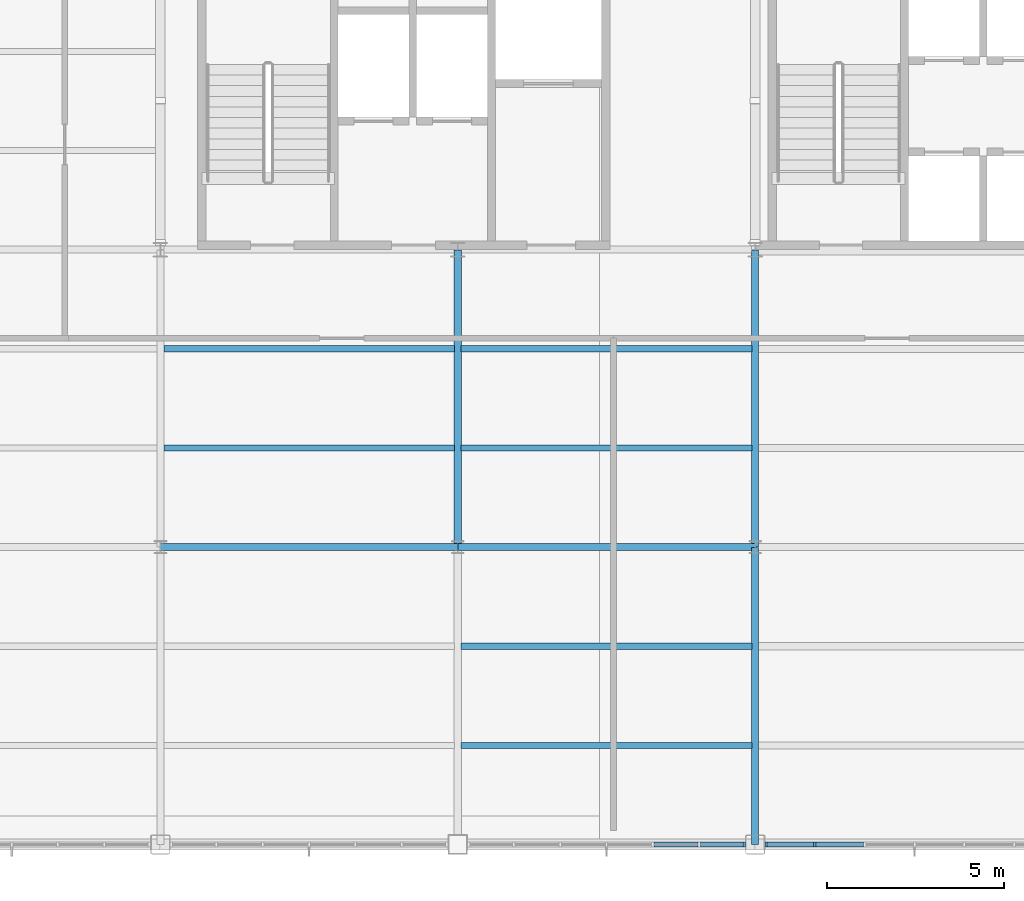
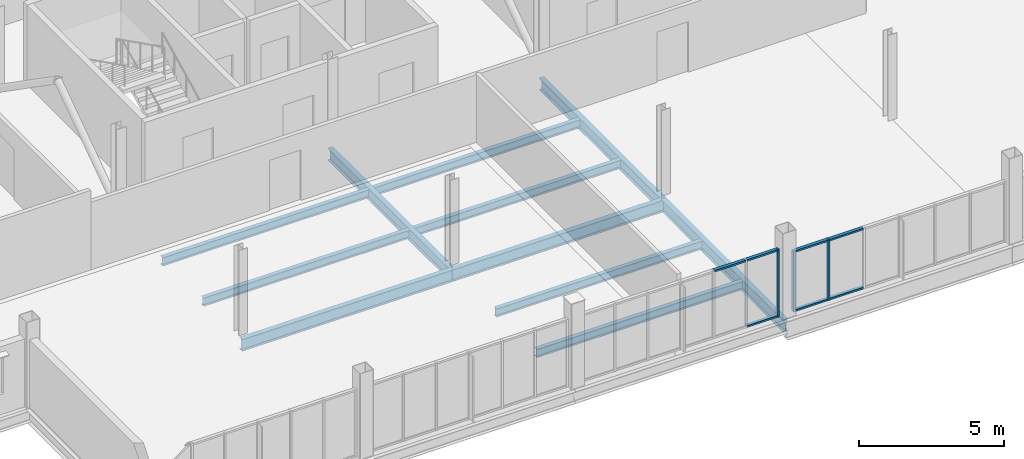
# One storey, part 6 of 18: 11 beams, 10 members, 2 elements without a shape of their own.
"""IFC4 building model written with IfcOpenShell, lengths in metres."""

import ifcopenshell
import ifcopenshell.guid

model = None  # the IFC model being written
_history = None  # IfcOwnerHistory: only IFC2X3 demands one
_inside = {}  # id of a spatial element -> (the spatial element, [elements in it])
_under = {}  # id of a project, library or spatial element -> (it, [spatial elements below it])
_declared = {}  # id of a project -> (the project, [libraries it declares])
_typed = {}  # id of a type object -> (the type object, [elements of that type])
_made_of = {}  # id of a material, layer set ... -> (it, [elements and type objects made of it])


def new_model(schema):
    """Start an empty IFC model of exactly this schema.

    Asked for "IFC4X3", IfcOpenShell would pick the latest addendum, in which some entities
    have other attributes; the version numbers below select the first issue.
    IFC2X3 requires an IfcOwnerHistory on every rooted entity: one is made here for all.
    """
    global model, _history
    if schema == "IFC4X3":
        model = ifcopenshell.file(schema_version=(4, 3, 0, 0))
    else:
        model = ifcopenshell.file(schema=schema)
    _inside.clear()
    _under.clear()
    _declared.clear()
    _typed.clear()
    _made_of.clear()
    _history = None
    if model.schema == "IFC2X3":
        org = make("IfcOrganization", Name="unknown")
        user = make(
            "IfcPersonAndOrganization",
            ThePerson=make("IfcPerson", FamilyName="unknown"),
            TheOrganization=org,
        )
        app = make(
            "IfcApplication",
            ApplicationDeveloper=org,
            Version="unknown",
            ApplicationFullName="unknown",
            ApplicationIdentifier="unknown",
        )
        _history = make(
            "IfcOwnerHistory",
            OwningUser=user,
            OwningApplication=app,
            ChangeAction="ADDED",
            CreationDate=0,
        )
    return model


def make(cls, **values):
    """One entity of the class cls with the attributes given. An attribute that is None is left unset."""
    return model.create_entity(
        cls, **{name: value for name, value in values.items() if value is not None}
    )


def rooted(cls, **values):
    """An entity with a GlobalId (a new one), such as an element, a storey or a relation."""
    return make(cls, GlobalId=ifcopenshell.guid.new(), OwnerHistory=_history, **values)


def si_unit(unit_type, name, prefix=None):
    """IfcSIUnit, for example si_unit("LENGTHUNIT", "METRE", prefix="MILLI")."""
    return make("IfcSIUnit", UnitType=unit_type, Prefix=prefix, Name=name)


def assignment(units):
    """IfcUnitAssignment: the units of a project."""
    return None if units is None else make("IfcUnitAssignment", Units=units)


def point(xyz):
    """IfcCartesianPoint."""
    return None if xyz is None else make("IfcCartesianPoint", Coordinates=xyz)


def direction(xyz):
    """IfcDirection."""
    return None if xyz is None else make("IfcDirection", DirectionRatios=xyz)


def frame(location, z_axis=None, x_axis=None):
    """IfcAxis2Placement3D, a coordinate frame: its origin and axes. An axis left out is left unset."""
    return make(
        "IfcAxis2Placement3D",
        Location=point(location),
        Axis=direction(z_axis),
        RefDirection=direction(x_axis),
    )


def frame_2d(location, x_axis=None):
    """IfcAxis2Placement2D, a coordinate frame in the plane: its origin and x axis."""
    return make(
        "IfcAxis2Placement2D", Location=point(location), RefDirection=direction(x_axis)
    )


def origin():
    """The frame at (0, 0, 0) with its axes left unset."""
    return frame((0.0, 0.0, 0.0))


def origin_2d():
    """The frame at (0, 0) in the plane with its x axis left unset."""
    return frame_2d((0.0, 0.0))


def place(relative_to, where):
    """IfcLocalPlacement: puts the frame where relative to a parent placement (None: the world)."""
    return make(
        "IfcLocalPlacement", PlacementRelTo=relative_to, RelativePlacement=where
    )


def context(
    kind, dimensions, precision=None, world=None, true_north=None, identifier=None
):
    """IfcGeometricRepresentationContext, for example the 3D "Model" context."""
    return make(
        "IfcGeometricRepresentationContext",
        ContextIdentifier=identifier,
        ContextType=kind,
        CoordinateSpaceDimension=dimensions,
        Precision=precision,
        WorldCoordinateSystem=world,
        TrueNorth=true_north,
    )


def subcontext(parent, identifier, kind, view, scale=None):
    """IfcGeometricRepresentationSubContext, for example "Body" below "Model"."""
    return make(
        "IfcGeometricRepresentationSubContext",
        ContextIdentifier=identifier,
        ContextType=kind,
        ParentContext=parent,
        TargetScale=scale,
        TargetView=view,
    )


def project(units=None, contexts=None):
    """IfcProject with its units and contexts."""
    return rooted(
        "IfcProject",
        Name="project",
        RepresentationContexts=contexts,
        UnitsInContext=assignment(units),
    )


def spatial(cls, under=None, at=None, **own):
    """A site, building, storey or space (cls), placed at a placement, below another one or the project."""
    s = rooted(cls, ObjectPlacement=at, **own)
    if under is not None:
        _under.setdefault(under.id(), (under, []))[1].append(s)
    return s


def profile(cls, at=None, kind="AREA", **sizes):
    """A parametric profile (cls). Its sizes go by their IFC names, for example OverallWidth=200.0."""
    return make(cls, ProfileType=kind, Position=at, **sizes)


def rectangle(**sizes):
    """IfcRectangleProfileDef."""
    return profile("IfcRectangleProfileDef", **sizes)


def i_section(**sizes):
    """IfcIShapeProfileDef."""
    return profile("IfcIShapeProfileDef", **sizes)


def extrude(swept, where, along, depth):
    """IfcExtrudedAreaSolid: the profile swept, set in the frame where, extruded along a direction by depth."""
    return make(
        "IfcExtrudedAreaSolid",
        SweptArea=swept,
        Position=where,
        ExtrudedDirection=direction(along),
        Depth=depth,
    )


def shape(context_of_items, identifier, shape_type, items):
    """IfcShapeRepresentation: the items that make up one representation, for example the "Body"."""
    return make(
        "IfcShapeRepresentation",
        ContextOfItems=context_of_items,
        RepresentationIdentifier=identifier,
        RepresentationType=shape_type,
        Items=items,
    )


def material(Name=None, Category=None):
    """IfcMaterial."""
    return make("IfcMaterial", Name=Name, Category=Category)


def layer(
    of_material, thickness, ventilated=None, Name=None, Category=None, Priority=None
):
    """IfcMaterialLayer: one layer of a wall or slab, of a material (None: an air gap)."""
    return make(
        "IfcMaterialLayer",
        Material=of_material,
        LayerThickness=thickness,
        IsVentilated=ventilated,
        Name=Name,
        Category=Category,
        Priority=Priority,
    )


def layer_set(layers, Name=None):
    """IfcMaterialLayerSet."""
    return make("IfcMaterialLayerSet", MaterialLayers=layers, LayerSetName=Name)


def material_profile(
    of_material, cross_section, Name=None, Category=None, Priority=None
):
    """IfcMaterialProfile: a cross section and its material."""
    return make(
        "IfcMaterialProfile",
        Name=Name,
        Material=of_material,
        Profile=cross_section,
        Priority=Priority,
        Category=Category,
    )


def profile_set(profiles, Name=None, composite=None):
    """IfcMaterialProfileSet."""
    return make(
        "IfcMaterialProfileSet",
        Name=Name,
        MaterialProfiles=profiles,
        CompositeProfile=composite,
    )


def made_of(thing, what):
    """Note that an element or type object is made of a material, layer set ...; save() writes the relation."""
    if what is not None:
        _made_of.setdefault(what.id(), (what, []))[1].append(thing)
    return thing


def type_object(cls, material=None, **own):
    """A type object (cls), such as IfcWallType, which elements share."""
    return made_of(rooted(cls, **own), material)


def element(
    cls,
    number,
    at=None,
    inside=None,
    cuts=None,
    type_object=None,
    material=None,
    context=None,
    identifier="Body",
    shape_type=None,
    held_by="IfcProductDefinitionShape",
    body=None,
    shapes=None,
    **own,
):
    """One element of the class cls, such as IfcWall. Its Tag is "e" and its number.

    at: its placement. inside: the storey or other place that contains it. cuts: it is an
    opening in that element (IfcRelVoidsElement). A single representation is given by context,
    identifier, shape_type and body (its items); several are given by shapes. held_by: the class
    of the entity that holds the representations. save() writes the other relations.
    """
    e = rooted(cls, Tag="e%d" % number, ObjectPlacement=at, **own)
    if body is not None:
        shapes = [shape(context, identifier, shape_type, body)]
    if shapes is not None:
        e.Representation = make(held_by, Representations=shapes)
    if inside is not None:
        _inside.setdefault(inside.id(), (inside, []))[1].append(e)
    if cuts is not None:
        rooted(
            "IfcRelVoidsElement", RelatingBuildingElement=cuts, RelatedOpeningElement=e
        )
    if type_object is not None:
        _typed.setdefault(type_object.id(), (type_object, []))[1].append(e)
    return made_of(e, material)


def aggregate(whole, parts):
    """IfcRelAggregates: a whole, such as a stair, and the parts it consists of."""
    return rooted("IfcRelAggregates", RelatingObject=whole, RelatedObjects=parts)


def save(model, path):
    """Write the relations noted so far, then the file.

    IfcRelAggregates (storeys below a building ...), IfcRelContainedInSpatialStructure (elements
    in a storey), IfcRelDefinesByType, IfcRelAssociatesMaterial and IfcRelDeclares: one each for
    every whole, place, type object, material and project.
    """
    for whole, parts in _under.values():
        aggregate(whole, parts)
    for where, things in _inside.values():
        rooted(
            "IfcRelContainedInSpatialStructure",
            RelatedElements=things,
            RelatingStructure=where,
        )
    for kind, things in _typed.values():
        rooted("IfcRelDefinesByType", RelatedObjects=things, RelatingType=kind)
    for what, things in _made_of.values():
        rooted("IfcRelAssociatesMaterial", RelatedObjects=things, RelatingMaterial=what)
    for by, libraries in _declared.values():
        rooted("IfcRelDeclares", RelatingContext=by, RelatedDefinitions=libraries)
    model.write(path)


model = new_model("IFC4")

# Units and contexts
model_context = context("Model", 3, precision=1e-05, world=origin(), true_north=direction((0.0, 1.0)))
body_context = subcontext(model_context, "Body", "Model", "MODEL_VIEW")
ifc_project = project(units=[si_unit("LENGTHUNIT", "METRE"), si_unit("AREAUNIT", "SQUARE_METRE"), si_unit("VOLUMEUNIT", "CUBIC_METRE"), si_unit("PLANEANGLEUNIT", "RADIAN"), si_unit("MASSUNIT", "GRAM", prefix="KILO")], contexts=[model_context])

# Site, building, storey
site_placement = place(None, origin())
site = spatial("IfcSite", under=ifc_project, at=site_placement, CompositionType="ELEMENT")
building_placement = place(site_placement, origin())
building = spatial("IfcBuilding", under=site, at=building_placement, Name="Yukiwa Park Conservatory and Herbarium", CompositionType="ELEMENT")
storey_placement = place(building_placement, frame((0.0, 0.0, 24.60009765625)))
storey = spatial("IfcBuildingStorey", under=building, at=storey_placement, Name="L06", CompositionType="ELEMENT", Elevation=24.60009765625)

# Beams
ifc_material_1 = material(Name="Steel Q355D", Category="steel")
ifc_material_profile_1 = material_profile(ifc_material_1, i_section(OverallWidth=0.198974609375, OverallDepth=0.49609375, WebThickness=0.009033203125, FlangeThickness=0.013916015625, FilletRadius=0.02001953125, at=origin_2d()), Name="HN 496x199x9x14")
ifc_profile_set_1 = profile_set([ifc_material_profile_1], Name="Steel Q355D")
beam_type_1 = type_object("IfcBeamType", Name="BM-GRD-HN496", PredefinedType="BEAM", material=ifc_profile_set_1)
for number, where, z_axis, x_axis, name in (
    (1, (133.2060546875, 86.39990234375, -0.498046875), (1.0, 0.0, 0.0), (0.0, 1.0, 0.0), "L06 grid beam X-8"),
    (2, (141.60595703125, 86.39990234375, -0.498046875), (1.0, 0.0, 0.0), (0.0, 1.0, 0.0), "L06 grid beam X-9"),
):
    element("IfcBeam", number, at=place(storey_placement, frame(where, z_axis=z_axis, x_axis=x_axis)), inside=storey, type_object=beam_type_1, Name=name, PredefinedType="BEAM", context=body_context, shape_type="SweptSolid", body=[
        extrude(i_section(OverallWidth=0.198974609375, OverallDepth=0.49609375, WebThickness=0.009033203125, FlangeThickness=0.013916015625, FilletRadius=0.02001953125, at=origin_2d()), origin(), (0.0, 0.0, 1.0), 8.387939453125),
    ])
ifc_material_2 = material(Name="Steel Q355D", Category="steel")
ifc_material_profile_2 = material_profile(ifc_material_2, i_section(OverallWidth=0.199951171875, OverallDepth=0.5, WebThickness=0.010009765625, FlangeThickness=0.01611328125, FilletRadius=0.02001953125, at=origin_2d()), Name="HN 500x200x10x16")
ifc_profile_set_2 = profile_set([ifc_material_profile_2], Name="Steel Q355D")
beam_type_2 = type_object("IfcBeamType", Name="BM-GRD-HN500", PredefinedType="BEAM", material=ifc_profile_set_2)
for number, where, z_axis, x_axis, name in (
    (3, (141.60009765625, 86.406005859375, -0.5), (0.0, 1.0, 0.0), (-1.0, 0.0, 0.0), "L06 grid girder Y-40"),
    (4, (150.0, 78.006103515625, -0.5), (0.0, 1.0, 0.0), (-1.0, 0.0, 0.0), "L06 grid girder Y-42"),
    (5, (150.0, 86.406005859375, -0.5), (0.0, 1.0, 0.0), (-1.0, 0.0, 0.0), "L06 grid girder Y-43"),
):
    element("IfcBeam", number, at=place(storey_placement, frame(where, z_axis=z_axis, x_axis=x_axis)), inside=storey, type_object=beam_type_2, Name=name, PredefinedType="BEAM", context=body_context, shape_type="SweptSolid", body=[
        extrude(i_section(OverallWidth=0.199951171875, OverallDepth=0.5, WebThickness=0.010009765625, FlangeThickness=0.01611328125, FilletRadius=0.02001953125, at=origin_2d()), origin(), (0.0, 0.0, 1.0), 8.387939453125),
    ])
ifc_material_3 = material(Name="Steel Q355D", Category="steel")
ifc_material_profile_3 = material_profile(ifc_material_3, i_section(OverallWidth=0.174072265625, OverallDepth=0.345947265625, WebThickness=0.006103515625, FlangeThickness=0.009033203125, FilletRadius=0.013916015625, at=origin_2d()), Name="HN 346x174x6x9")
ifc_profile_set_3 = profile_set([ifc_material_profile_3], Name="Steel Q355D")
beam_type_3 = type_object("IfcBeamType", Name="BM-JST-HN346", PredefinedType="JOIST", material=ifc_profile_set_3)
for number, where, z_axis, x_axis, name in (
    (6, (133.2958984375, 89.199951171875, -0.423095703125), (1.0, 0.0, 0.0), (0.0, 1.0, 0.0), "L06 composite floor joist 11"),
    (7, (133.2958984375, 92.0, -0.423095703125), (1.0, 0.0, 0.0), (0.0, 1.0, 0.0), "L06 composite floor joist 12"),
    (8, (141.696044921875, 80.800048828125, -0.423095703125), (1.0, 0.0, 0.0), (0.0, 1.0, 0.0), "L06 composite floor joist 15"),
    (9, (141.696044921875, 83.60009765625, -0.423095703125), (1.0, 0.0, 0.0), (0.0, 1.0, 0.0), "L06 composite floor joist 16"),
    (10, (141.696044921875, 89.199951171875, -0.423095703125), (1.0, 0.0, 0.0), (0.0, 1.0, 0.0), "L06 composite floor joist 17"),
    (11, (141.696044921875, 92.0, -0.423095703125), (1.0, 0.0, 0.0), (0.0, 1.0, 0.0), "L06 composite floor joist 18"),
):
    element("IfcBeam", number, at=place(storey_placement, frame(where, z_axis=z_axis, x_axis=x_axis)), inside=storey, type_object=beam_type_3, Name=name, PredefinedType="JOIST", context=body_context, shape_type="SweptSolid", body=[
        extrude(i_section(OverallWidth=0.174072265625, OverallDepth=0.345947265625, WebThickness=0.006103515625, FlangeThickness=0.009033203125, FilletRadius=0.013916015625, at=origin_2d()), origin(), (0.0, 0.0, 1.0), 8.2080078125),
    ])

# Curtain wall, member
ifc_material_4 = material(Name="Triple Low-E Insulated Glass", Category="glass")
ifc_layer = layer(ifc_material_4, 0.248046875)
ifc_layer_set = layer_set([ifc_layer], Name="Triple Low-E Insulated Glass")
curtain_wall_type = type_object("IfcCurtainWallType", Name="CW-TOWER-LAB-S-1400", PredefinedType="NOTDEFINED", material=ifc_layer_set)
curtain_wall_1_placement = place(storey_placement, origin())
curtain_wall_1 = element("IfcCurtainWall", 12, at=curtain_wall_1_placement, inside=storey, type_object=curtain_wall_type, Name="L06 unitised curtain wall CW-L06-084", PredefinedType="NOTDEFINED")
ifc_material_5 = material(Name="Anodised Aluminium", Category="aluminium")
member_type_1 = type_object("IfcMemberType", Name="MB-CW-MUL-70X150", PredefinedType="MULLION", material=ifc_material_5)
member_1_placement = place(storey_placement, frame((149.68994140625, 78.0, 0.0), z_axis=(0.0, 0.0, 1.0), x_axis=(1.0, 0.0, 0.0)))
member_1 = element("IfcMember", 13, at=member_1_placement, type_object=member_type_1, Name="CW-L06-084 mullion 7", PredefinedType="MULLION", context=body_context, shape_type="SweptSolid", body=[
    extrude(rectangle(XDim=0.070068359375, YDim=0.14990234375, at=origin_2d()), origin(), (0.0, 0.0, 1.0), 2.844970703125),
])

# Curtain wall, members
curtain_wall_2_placement = place(storey_placement, origin())
curtain_wall_2 = element("IfcCurtainWall", 14, at=curtain_wall_2_placement, inside=storey, type_object=curtain_wall_type, Name="L06 unitised curtain wall CW-L06-085", PredefinedType="NOTDEFINED")
member_2_placement = place(storey_placement, frame((150.31005859375, 78.0, 0.0), z_axis=(0.0, 0.0, 1.0), x_axis=(1.0, 0.0, 0.0)))
member_2 = element("IfcMember", 15, at=member_2_placement, type_object=member_type_1, Name="CW-L06-085 mullion 1", PredefinedType="MULLION", context=body_context, shape_type="SweptSolid", body=[
    extrude(rectangle(XDim=0.070068359375, YDim=0.14990234375, at=origin_2d()), origin(), (0.0, 0.0, 1.0), 2.552978515625),
])
member_3_placement = place(storey_placement, frame((151.683349609375, 78.0, 0.0), z_axis=(0.0, 0.0, 1.0), x_axis=(1.0, 0.0, 0.0)))
member_3 = element("IfcMember", 16, at=member_3_placement, type_object=member_type_1, Name="CW-L06-085 mullion 2", PredefinedType="MULLION", context=body_context, shape_type="SweptSolid", body=[
    extrude(rectangle(XDim=0.070068359375, YDim=0.14990234375, at=origin_2d()), origin(), (0.0, 0.0, 1.0), 2.552978515625),
])

# Member
ifc_material_6 = material(Name="Anodised Aluminium", Category="aluminium")
member_type_2 = type_object("IfcMemberType", Name="MB-CW-TRN-70X130", PredefinedType="USERDEFINED", material=ifc_material_6)
member_4_placement = place(storey_placement, frame((147.762451171875, 78.0, 2.77490234375), z_axis=(0.0, 0.0, 1.0), x_axis=(1.0, 0.0, 0.0)))
member_4 = element("IfcMember", 17, at=member_4_placement, type_object=member_type_2, Name="CW-L06-084 transom 5.2", ObjectType="TRANSOM", PredefinedType="USERDEFINED", context=body_context, shape_type="SweptSolid", body=[
    extrude(rectangle(XDim=1.23828125, YDim=0.1298828125, at=origin_2d()), origin(), (0.0, 0.0, 1.0), 0.070068359375),
])

member_5_placement = place(storey_placement, frame((149.07080078125, 78.0, 0.0), z_axis=(0.0, 0.0, 1.0), x_axis=(1.0, 0.0, 0.0)))
member_5 = element("IfcMember", 18, at=member_5_placement, type_object=member_type_2, Name="CW-L06-084 transom 6.1", ObjectType="TRANSOM", PredefinedType="USERDEFINED", context=body_context, shape_type="SweptSolid", body=[
    extrude(rectangle(XDim=1.23828125, YDim=0.1298828125, at=origin_2d()), origin(), (0.0, 0.0, 1.0), 0.070068359375),
])

member_6_placement = place(storey_placement, frame((149.07080078125, 78.0, 2.77490234375), z_axis=(0.0, 0.0, 1.0), x_axis=(1.0, 0.0, 0.0)))
member_6 = element("IfcMember", 19, at=member_6_placement, type_object=member_type_2, Name="CW-L06-084 transom 6.2", ObjectType="TRANSOM", PredefinedType="USERDEFINED", context=body_context, shape_type="SweptSolid", body=[
    extrude(rectangle(XDim=1.23828125, YDim=0.1298828125, at=origin_2d()), origin(), (0.0, 0.0, 1.0), 0.070068359375),
])

aggregate(curtain_wall_1, [member_1, member_4, member_5, member_6])

member_7_placement = place(storey_placement, frame((150.979248046875, 78.0, 0.0), z_axis=(0.0, 0.0, 1.0), x_axis=(1.0, 0.0, 0.0)))
member_7 = element("IfcMember", 20, at=member_7_placement, type_object=member_type_2, Name="CW-L06-085 transom 1.1", ObjectType="TRANSOM", PredefinedType="USERDEFINED", context=body_context, shape_type="SweptSolid", body=[
    extrude(rectangle(XDim=1.33837890625, YDim=0.1298828125, at=origin_2d()), origin(), (0.0, 0.0, 1.0), 0.070068359375),
])

member_8_placement = place(storey_placement, frame((150.979248046875, 78.0, 2.48291015625), z_axis=(0.0, 0.0, 1.0), x_axis=(1.0, 0.0, 0.0)))
member_8 = element("IfcMember", 21, at=member_8_placement, type_object=member_type_2, Name="CW-L06-085 transom 1.2", ObjectType="TRANSOM", PredefinedType="USERDEFINED", context=body_context, shape_type="SweptSolid", body=[
    extrude(rectangle(XDim=1.33837890625, YDim=0.1298828125, at=origin_2d()), origin(), (0.0, 0.0, 1.0), 0.070068359375),
])

member_9_placement = place(storey_placement, frame((152.387451171875, 78.0, 0.0), z_axis=(0.0, 0.0, 1.0), x_axis=(1.0, 0.0, 0.0)))
member_9 = element("IfcMember", 22, at=member_9_placement, type_object=member_type_2, Name="CW-L06-085 transom 2.1", ObjectType="TRANSOM", PredefinedType="USERDEFINED", context=body_context, shape_type="SweptSolid", body=[
    extrude(rectangle(XDim=1.33837890625, YDim=0.1298828125, at=origin_2d()), origin(), (0.0, 0.0, 1.0), 0.070068359375),
])

member_10_placement = place(storey_placement, frame((152.387451171875, 78.0, 2.48291015625), z_axis=(0.0, 0.0, 1.0), x_axis=(1.0, 0.0, 0.0)))
member_10 = element("IfcMember", 23, at=member_10_placement, type_object=member_type_2, Name="CW-L06-085 transom 2.2", ObjectType="TRANSOM", PredefinedType="USERDEFINED", context=body_context, shape_type="SweptSolid", body=[
    extrude(rectangle(XDim=1.33837890625, YDim=0.1298828125, at=origin_2d()), origin(), (0.0, 0.0, 1.0), 0.070068359375),
])

aggregate(curtain_wall_2, [member_2, member_3, member_7, member_8, member_9, member_10])

save(model, "model.ifc")
